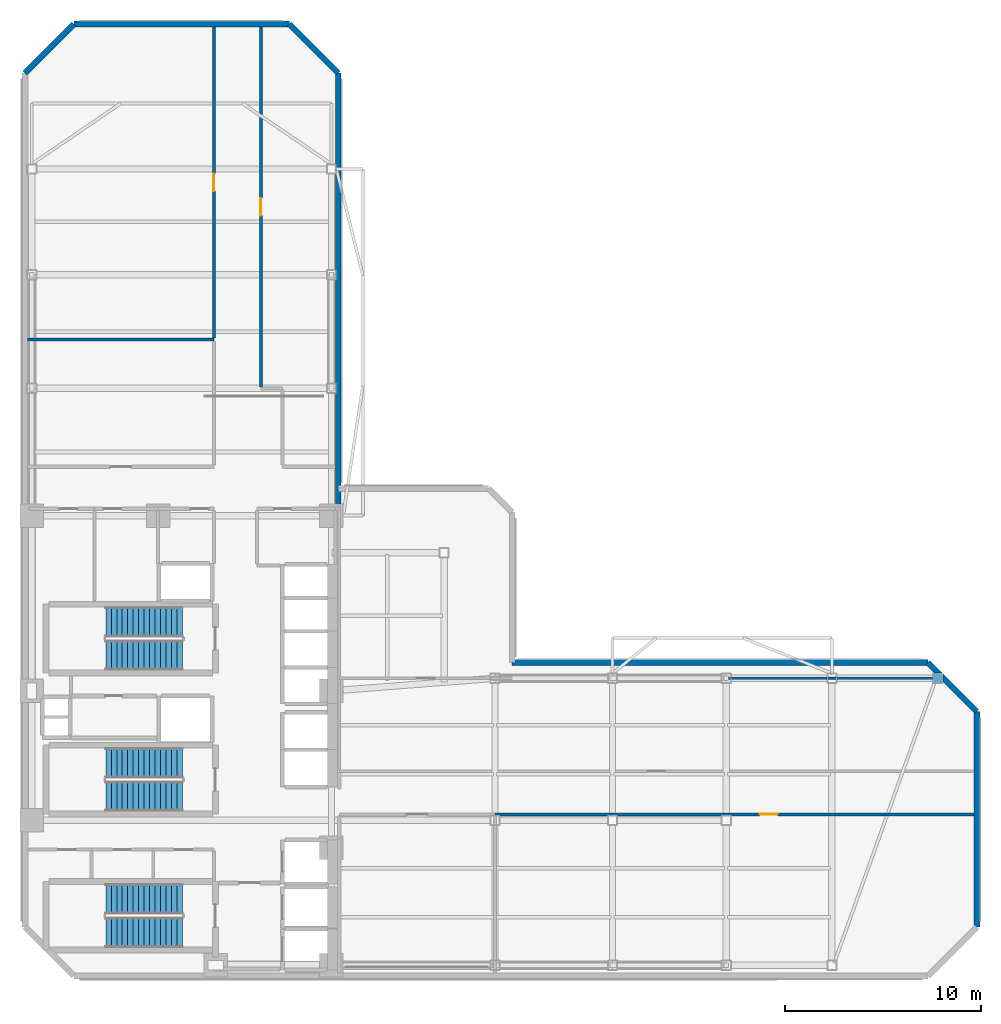
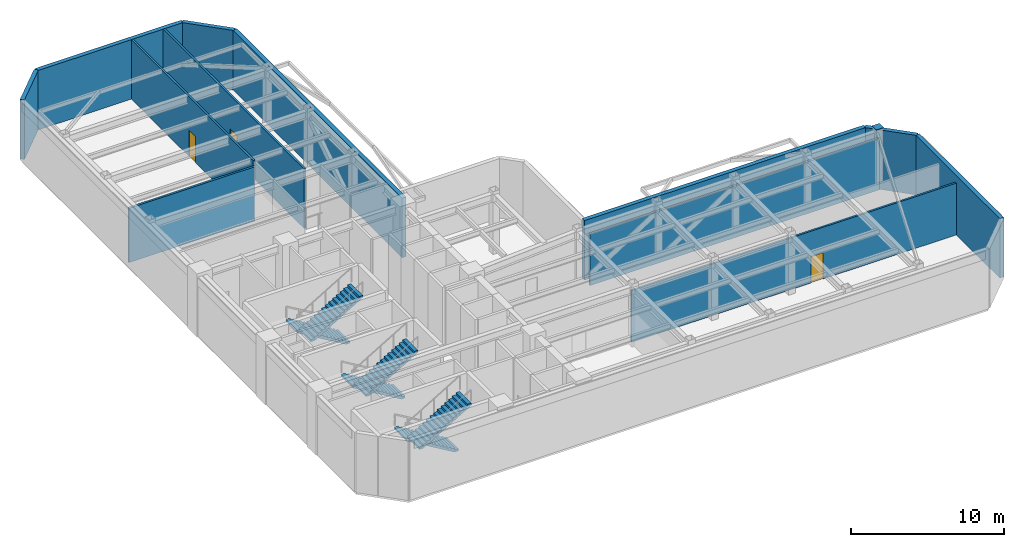
# One storey, part 5 of 9: 12 walls, 6 stair flights, 3 doors, 1 discrete accessory, 3 openings, 3 elements without a shape of their own.
"""IFC4 building model written with IfcOpenShell, lengths in metres."""

from ifc_helpers import new_model, si_unit, direction, frame, frame_2d, origin, origin_2d, place, context, subcontext, project, spatial, polyline, rectangle, outline, extrude, material, layer, layer_set, type_object, element, fill, aggregate, save


model = new_model("IFC4")

# Units and contexts
model_context = context("Model", 3, precision=1e-05, world=origin(), true_north=direction((0.0, 1.0)))
body_context = subcontext(model_context, "Body", "Model", "MODEL_VIEW")
ifc_project = project(units=[si_unit("LENGTHUNIT", "METRE"), si_unit("AREAUNIT", "SQUARE_METRE"), si_unit("VOLUMEUNIT", "CUBIC_METRE"), si_unit("PLANEANGLEUNIT", "RADIAN"), si_unit("MASSUNIT", "GRAM", prefix="KILO")], contexts=[model_context])

# Site, building, storey
site_placement = place(None, origin())
site = spatial("IfcSite", under=ifc_project, at=site_placement, CompositionType="ELEMENT")
building_placement = place(site_placement, origin())
building = spatial("IfcBuilding", under=site, at=building_placement, Name="Mawjaban Terraces University", CompositionType="ELEMENT")
storey_placement = place(building_placement, frame((0.0, 0.0, 165.800048828125)))
storey = spatial("IfcBuildingStorey", under=building, at=storey_placement, Name="L40", CompositionType="ELEMENT", Elevation=165.800048828125)

# Walls
ifc_material_1 = material(Name="Fire-rated gypsum board on steel stud", Category="steel")
ifc_layer_1 = layer(ifc_material_1, 0.159912109375)
ifc_layer_set_1 = layer_set([ifc_layer_1], Name="Fire-rated gypsum board on steel stud")
wall_type_1 = type_object("IfcWallType", Name="CorridorPartition_160", PredefinedType="PARTITIONING", material=ifc_layer_set_1)
wall_1_placement = place(storey_placement, frame((31.64990234375, 32.5, 0.0), z_axis=(0.0, 0.0, 1.0), x_axis=(-1.0, 0.0, 0.0)))
element("IfcWall", 1, at=wall_1_placement, inside=storey, type_object=wall_type_1, Name="L40 Designated Smoke-Protected Refuge Area North Partition 11", PredefinedType="PARTITIONING", context=body_context, shape_type="SweptSolid", body=[
    extrude(rectangle(XDim=9.5048828125, YDim=0.159912109375, at=frame_2d((4.75244140625, 0.0))), origin(), (0.0, 0.0, 1.0), 4.326904296875),
])
ifc_material_2 = material(Name="Insulated terracotta rainscreen on concrete backup C40/50", Category="masonry")
ifc_layer_2 = layer(ifc_material_2, 0.300048828125)
ifc_layer_set_2 = layer_set([ifc_layer_2], Name="Insulated terracotta rainscreen on concrete backup C40/50")
wall_type_2 = type_object("IfcWallType", Name="ExtTerracottaWall_300", PredefinedType="SOLIDWALL", material=ifc_layer_set_2)
wall_2_placement = place(storey_placement, frame((70.60009765625, 2.5, 0.0), z_axis=(0.0, 0.0, 1.0), x_axis=(0.0, 1.0, 0.0)))
element("IfcWall", 2, at=wall_2_placement, inside=storey, type_object=wall_type_2, Name="L40 Exterior Terracotta Wall 3", PredefinedType="SOLIDWALL", context=body_context, shape_type="SweptSolid", body=[
    extrude(rectangle(XDim=11.0, YDim=0.300048828125, at=frame_2d((5.5, 0.0))), origin(), (0.0, 0.0, 1.0), 4.739990234375),
])
wall_3_placement = place(storey_placement, frame((70.60009765625, 13.5, 0.0), z_axis=(0.0, 0.0, 1.0), x_axis=(-0.707106781187, 0.707106781187, 0.0)))
element("IfcWall", 3, at=wall_3_placement, inside=storey, type_object=wall_type_2, Name="L40 Exterior Terracotta Wall 4", PredefinedType="SOLIDWALL", context=body_context, shape_type="SweptSolid", body=[
    extrude(rectangle(XDim=3.53564453125, YDim=0.300048828125, at=frame_2d((1.767822265625, 0.0))), origin(), (0.0, 0.0, 1.0), 4.739990234375),
])
wall_4_placement = place(storey_placement, frame((68.10009765625, 16.0, 0.0), z_axis=(0.0, 0.0, 1.0), x_axis=(-1.0, 0.0, 0.0)))
element("IfcWall", 4, at=wall_4_placement, inside=storey, type_object=wall_type_2, Name="L40 Exterior Terracotta Wall 5", PredefinedType="SOLIDWALL", context=body_context, shape_type="SweptSolid", body=[
    extrude(rectangle(XDim=21.22021484375, YDim=0.300048828125, at=frame_2d((10.610107421875, 0.0))), origin(), (0.0, 0.0, 1.0), 4.739990234375),
])
wall_5_placement = place(storey_placement, frame((38.0, 24.0, 0.0), z_axis=(0.0, 0.0, 1.0), x_axis=(0.0, 1.0, 0.0)))
element("IfcWall", 5, at=wall_5_placement, inside=storey, type_object=wall_type_2, Name="L40 Exterior Terracotta Wall 9", PredefinedType="SOLIDWALL", context=body_context, shape_type="SweptSolid", body=[
    extrude(rectangle(XDim=22.10009765625, YDim=0.300048828125, at=frame_2d((11.050048828125, 0.0))), origin(), (0.0, 0.0, 1.0), 4.739990234375),
])
wall_6_placement = place(storey_placement, frame((38.0, 46.10009765625, 0.0), z_axis=(0.0, 0.0, 1.0), x_axis=(-0.707106781187, 0.707106781187, 0.0)))
element("IfcWall", 6, at=wall_6_placement, inside=storey, type_object=wall_type_2, Name="L40 Exterior Terracotta Wall 10", PredefinedType="SOLIDWALL", context=body_context, shape_type="SweptSolid", body=[
    extrude(rectangle(XDim=3.53564453125, YDim=0.300048828125, at=frame_2d((1.767822265625, 0.0))), origin(), (0.0, 0.0, 1.0), 4.739990234375),
])
wall_7_placement = place(storey_placement, frame((35.5, 48.60009765625, 0.0), z_axis=(0.0, 0.0, 1.0), x_axis=(-1.0, 0.0, 0.0)))
element("IfcWall", 7, at=wall_7_placement, inside=storey, type_object=wall_type_2, Name="L40 Exterior Terracotta Wall 11", PredefinedType="SOLIDWALL", context=body_context, shape_type="SweptSolid", body=[
    extrude(rectangle(XDim=11.0, YDim=0.300048828125, at=frame_2d((5.5, 0.0))), origin(), (0.0, 0.0, 1.0), 4.739990234375),
])
wall_8_placement = place(storey_placement, frame((24.5, 48.60009765625, 0.0), z_axis=(0.0, 0.0, 1.0), x_axis=(-0.707106781187, -0.707106781187, 0.0)))
element("IfcWall", 8, at=wall_8_placement, inside=storey, type_object=wall_type_2, Name="L40 Exterior Terracotta Wall 12", PredefinedType="SOLIDWALL", context=body_context, shape_type="SweptSolid", body=[
    extrude(rectangle(XDim=3.53564453125, YDim=0.300048828125, at=frame_2d((1.767822265625, 0.0))), origin(), (0.0, 0.0, 1.0), 4.739990234375),
])

# Wall, opening, door
ifc_material_3 = material(Name="Moisture-resistant gypsum board on steel stud", Category="steel")
ifc_layer_3 = layer(ifc_material_3, 0.14501953125)
ifc_layer_set_3 = layer_set([ifc_layer_3], Name="Moisture-resistant gypsum board on steel stud")
wall_type_3 = type_object("IfcWallType", Name="LabPartition_145", PredefinedType="PARTITIONING", material=ifc_layer_set_3)
wall_9_placement = place(storey_placement, frame((46.0, 8.25, 0.0), z_axis=(0.0, 0.0, 1.0), x_axis=(1.0, 0.0, 0.0)))
wall_9 = element("IfcWall", 9, at=wall_9_placement, inside=storey, type_object=wall_type_3, Name="L40 Mechanical Plant Service Corridor East Partition 18", PredefinedType="PARTITIONING", context=body_context, shape_type="SweptSolid", body=[
    extrude(rectangle(XDim=24.455078125, YDim=0.14501953125, at=frame_2d((12.2275390625, 0.0))), origin(), (0.0, 0.0, 1.0), 4.1240234375),
])
opening_1_placement = place(wall_9_placement, frame((13.527099609375, 0.0, 0.0)))
opening_1 = element("IfcOpeningElement", 10, at=opening_1_placement, cuts=wall_9, Name="Opening ID-090", PredefinedType="OPENING", context=body_context, shape_type="SweptSolid", body=[
    extrude(rectangle(XDim=0.89990234375, YDim=2.10009765625, at=frame_2d((0.449951171875, 1.050048828125))), frame((0.0, 0.08251953125, 0.0), z_axis=(0.0, -1.0, 0.0), x_axis=(1.0, 0.0, 0.0)), (0.0, 0.0, 1.0), 0.1650390625),
])
ifc_material_4 = material(Name="Powder-coated steel frame and solid acoustic timber leaf", Category="steel")
door_type = type_object("IfcDoorType", Name="OfficeDoor_900x2100", OperationType="NOTDEFINED", PredefinedType="DOOR", material=ifc_material_4)
door_1_placement = place(opening_1_placement, origin())
door_1 = element("IfcDoor", 11, at=door_1_placement, inside=storey, type_object=door_type, Name="L40 Zoned Dedicated Outdoor Air Plant Room Door", OperationType="SINGLE_SWING_LEFT", OverallHeight=2.10009765625, OverallWidth=0.89990234375, PredefinedType="DOOR", context=body_context, shape_type="SweptSolid", body=[
    extrude(rectangle(XDim=0.89990234375, YDim=2.10009765625, at=frame_2d((0.449951171875, 1.050048828125))), frame((0.0, 0.02490234375, 0.0), z_axis=(0.0, -1.0, 0.0), x_axis=(1.0, 0.0, 0.0)), (0.0, 0.0, 1.0), 0.050048828125),
])
fill(opening_1, door_1)

# Wall
wall_10_placement = place(storey_placement, frame((68.695068359375, 15.199951171875, 0.0), z_axis=(0.0, 0.0, 1.0), x_axis=(-1.0, 0.0, 0.0)))
element("IfcWall", 12, at=wall_10_placement, inside=storey, type_object=wall_type_3, Name="L40 Heat Recovery Ventilation Fan Room Partition 20", PredefinedType="PARTITIONING", context=body_context, shape_type="SweptSolid", body=[
    extrude(rectangle(XDim=21.815185546875, YDim=0.14501953125, at=frame_2d((10.90771484375, 0.0))), origin(), (0.0, 0.0, 1.0), 4.1240234375),
])

# Wall, opening, door
wall_11_placement = place(storey_placement, frame((31.64990234375, 48.455078125, 0.0), z_axis=(0.0, 0.0, 1.0), x_axis=(0.0, -1.0, 0.0)))
wall_11 = element("IfcWall", 13, at=wall_11_placement, inside=storey, type_object=wall_type_3, Name="L40 Mechanical Plant Service Corridor North Partition 31", PredefinedType="PARTITIONING", context=body_context, shape_type="SweptSolid", body=[
    extrude(rectangle(XDim=15.880126953125, YDim=0.14501953125, at=frame_2d((7.93994140625, 0.0))), origin(), (0.0, 0.0, 1.0), 4.739990234375),
])
opening_2_placement = place(wall_11_placement, frame((7.489990234375, 0.0, 0.0)))
opening_2 = element("IfcOpeningElement", 14, at=opening_2_placement, cuts=wall_11, Name="Opening ID-090", PredefinedType="OPENING", context=body_context, shape_type="SweptSolid", body=[
    extrude(rectangle(XDim=0.89990234375, YDim=2.10009765625, at=frame_2d((0.449951171875, 1.050048828125))), frame((0.0, 0.08251953125, 0.0), z_axis=(0.0, -1.0, 0.0), x_axis=(1.0, 0.0, 0.0)), (0.0, 0.0, 1.0), 0.1650390625),
])
door_2_placement = place(opening_2_placement, origin())
door_2 = element("IfcDoor", 15, at=door_2_placement, inside=storey, type_object=door_type, Name="L40 Zone Electrical Transformer and Switchgear Room Door", OperationType="SINGLE_SWING_LEFT", OverallHeight=2.10009765625, OverallWidth=0.89990234375, PredefinedType="DOOR", context=body_context, shape_type="SweptSolid", body=[
    extrude(rectangle(XDim=0.89990234375, YDim=2.10009765625, at=frame_2d((0.449951171875, 1.050048828125))), frame((0.0, 0.02490234375, 0.0), z_axis=(0.0, -1.0, 0.0), x_axis=(1.0, 0.0, 0.0)), (0.0, 0.0, 1.0), 0.050048828125),
])
fill(opening_2, door_2)

wall_12_placement = place(storey_placement, frame((34.050048828125, 30.074951171875, 0.0), z_axis=(0.0, 0.0, 1.0), x_axis=(0.0, 1.0, 0.0)))
wall_12 = element("IfcWall", 16, at=wall_12_placement, inside=storey, type_object=wall_type_3, Name="L40 Mechanical Plant Service Corridor North Partition 33", PredefinedType="PARTITIONING", context=body_context, shape_type="SweptSolid", body=[
    extrude(rectangle(XDim=18.380126953125, YDim=0.14501953125, at=frame_2d((9.18994140625, 0.0))), origin(), (0.0, 0.0, 1.0), 4.739990234375),
])
opening_3_placement = place(wall_12_placement, frame((8.739990234375, 0.0, 0.0)))
opening_3 = element("IfcOpeningElement", 17, at=opening_3_placement, cuts=wall_12, Name="Opening ID-090", PredefinedType="OPENING", context=body_context, shape_type="SweptSolid", body=[
    extrude(rectangle(XDim=0.89990234375, YDim=2.10009765625, at=frame_2d((0.449951171875, 1.050048828125))), frame((0.0, 0.08251953125, 0.0), z_axis=(0.0, -1.0, 0.0), x_axis=(1.0, 0.0, 0.0)), (0.0, 0.0, 1.0), 0.1650390625),
])
door_3_placement = place(opening_3_placement, origin())
door_3 = element("IfcDoor", 18, at=door_3_placement, inside=storey, type_object=door_type, Name="L40 Intermediate Chilled Water Heat Exchanger Room Door", OperationType="SINGLE_SWING_RIGHT", OverallHeight=2.10009765625, OverallWidth=0.89990234375, PredefinedType="DOOR", context=body_context, shape_type="SweptSolid", body=[
    extrude(rectangle(XDim=0.89990234375, YDim=2.10009765625, at=frame_2d((0.449951171875, 1.050048828125))), frame((0.0, 0.02490234375, 0.0), z_axis=(0.0, -1.0, 0.0), x_axis=(1.0, 0.0, 0.0)), (0.0, 0.0, 1.0), 0.050048828125),
])
fill(opening_3, door_3)

# Stair, stair flights
ifc_material_5 = material(Name="Concrete C40/50", Category="concrete")
stair_type = type_object("IfcStairType", Name="Stair_Core1550_H50", PredefinedType="HALF_TURN_STAIR", material=ifc_material_5)
stair_1_placement = place(storey_placement, origin())
stair_1 = element("IfcStair", 19, at=stair_1_placement, inside=storey, type_object=stair_type, Name="L40 Core Exit Stair 1", PredefinedType="HALF_TURN_STAIR")
stair_flight_type = type_object("IfcStairFlightType", Name="Flight_Core1550_H50", PredefinedType="STRAIGHT", material=ifc_material_5)
stair_flight_1_placement = place(storey_placement, frame((30.050048828125, 3.925048828125, 0.0), z_axis=(0.0, 0.0, 1.0), x_axis=(-1.0, 0.0, 0.0)))
stair_flight_1 = element("IfcStairFlight", 20, at=stair_flight_1_placement, type_object=stair_flight_type, Name="ST-1 flight 1", NumberOfRisers=15, NumberOfTreads=14, PredefinedType="STRAIGHT", RiserHeight=0.166666667, TreadLength=0.28, context=body_context, shape_type="SweptSolid", body=[
    extrude(outline(polyline([(0.0, 0.0), (0.0, 0.166748046875), (0.280029296875, 0.166748046875), (0.280029296875, 0.333251953125), (0.56005859375, 0.333251953125), (0.56005859375, 0.5), (0.840087890625, 0.5), (0.840087890625, 0.666748046875), (1.1201171875, 0.666748046875), (1.1201171875, 0.833251953125), (1.39990234375, 0.833251953125), (1.39990234375, 1.0), (1.679931640625, 1.0), (1.679931640625, 1.166748046875), (1.9599609375, 1.166748046875), (1.9599609375, 1.333251953125), (2.239990234375, 1.333251953125), (2.239990234375, 1.5), (2.52001953125, 1.5), (2.52001953125, 1.666748046875), (2.800048828125, 1.666748046875), (2.800048828125, 1.833251953125), (3.080078125, 1.833251953125), (3.080078125, 2.0), (3.360107421875, 2.0), (3.360107421875, 2.166748046875), (3.639892578125, 2.166748046875), (3.639892578125, 2.333251953125), (3.919921875, 2.333251953125), (3.919921875, 2.5), (3.919921875, 2.158935546875), (0.29296875, 0.0), (0.0, 0.0)])), frame((0.0, 0.77490234375, 0.0), z_axis=(0.0, -1.0, 0.0), x_axis=(1.0, 0.0, 0.0)), (0.0, 0.0, 1.0), 1.550048828125),
])
stair_flight_2_placement = place(storey_placement, frame((26.1298828125, 2.22509765625, 2.5), z_axis=(0.0, 0.0, 1.0), x_axis=(1.0, 0.0, 0.0)))
stair_flight_2 = element("IfcStairFlight", 21, at=stair_flight_2_placement, type_object=stair_flight_type, Name="ST-1 flight 2", NumberOfRisers=15, NumberOfTreads=14, PredefinedType="STRAIGHT", RiserHeight=0.166666667, TreadLength=0.28, context=body_context, shape_type="SweptSolid", body=[
    extrude(outline(polyline([(0.0, 0.0), (0.0, 0.166748046875), (0.280029296875, 0.166748046875), (0.280029296875, 0.333251953125), (0.56005859375, 0.333251953125), (0.56005859375, 0.5), (0.840087890625, 0.5), (0.840087890625, 0.666748046875), (1.1201171875, 0.666748046875), (1.1201171875, 0.833251953125), (1.39990234375, 0.833251953125), (1.39990234375, 1.0), (1.679931640625, 1.0), (1.679931640625, 1.166748046875), (1.9599609375, 1.166748046875), (1.9599609375, 1.333251953125), (2.239990234375, 1.333251953125), (2.239990234375, 1.5), (2.52001953125, 1.5), (2.52001953125, 1.666748046875), (2.800048828125, 1.666748046875), (2.800048828125, 1.833251953125), (3.080078125, 1.833251953125), (3.080078125, 2.0), (3.360107421875, 2.0), (3.360107421875, 2.166748046875), (3.639892578125, 2.166748046875), (3.639892578125, 2.333251953125), (3.919921875, 2.333251953125), (3.919921875, 2.5), (3.919921875, 2.158935546875), (0.29296875, 0.0), (0.0, 0.0)])), frame((0.0, 0.77490234375, 0.0), z_axis=(0.0, -1.0, 0.0), x_axis=(1.0, 0.0, 0.0)), (0.0, 0.0, 1.0), 1.550048828125),
])
aggregate(stair_1, [stair_flight_1, stair_flight_2])

stair_2_placement = place(storey_placement, origin())
stair_2 = element("IfcStair", 22, at=stair_2_placement, inside=storey, type_object=stair_type, Name="L40 Core Exit Stair 2", PredefinedType="HALF_TURN_STAIR")
stair_flight_3_placement = place(storey_placement, frame((30.050048828125, 18.074951171875, 0.0), z_axis=(0.0, 0.0, 1.0), x_axis=(-1.0, 0.0, 0.0)))
stair_flight_3 = element("IfcStairFlight", 23, at=stair_flight_3_placement, type_object=stair_flight_type, Name="ST-2 flight 1", NumberOfRisers=15, NumberOfTreads=14, PredefinedType="STRAIGHT", RiserHeight=0.166666667, TreadLength=0.28, context=body_context, shape_type="SweptSolid", body=[
    extrude(outline(polyline([(0.0, 0.0), (0.0, 0.166748046875), (0.280029296875, 0.166748046875), (0.280029296875, 0.333251953125), (0.56005859375, 0.333251953125), (0.56005859375, 0.5), (0.840087890625, 0.5), (0.840087890625, 0.666748046875), (1.1201171875, 0.666748046875), (1.1201171875, 0.833251953125), (1.39990234375, 0.833251953125), (1.39990234375, 1.0), (1.679931640625, 1.0), (1.679931640625, 1.166748046875), (1.9599609375, 1.166748046875), (1.9599609375, 1.333251953125), (2.239990234375, 1.333251953125), (2.239990234375, 1.5), (2.52001953125, 1.5), (2.52001953125, 1.666748046875), (2.800048828125, 1.666748046875), (2.800048828125, 1.833251953125), (3.080078125, 1.833251953125), (3.080078125, 2.0), (3.360107421875, 2.0), (3.360107421875, 2.166748046875), (3.639892578125, 2.166748046875), (3.639892578125, 2.333251953125), (3.919921875, 2.333251953125), (3.919921875, 2.5), (3.919921875, 2.158935546875), (0.29296875, 0.0), (0.0, 0.0)])), frame((0.0, 0.77490234375, 0.0), z_axis=(0.0, -1.0, 0.0), x_axis=(1.0, 0.0, 0.0)), (0.0, 0.0, 1.0), 1.550048828125),
])
stair_flight_4_placement = place(storey_placement, frame((26.1298828125, 16.375, 2.5), z_axis=(0.0, 0.0, 1.0), x_axis=(1.0, 0.0, 0.0)))
stair_flight_4 = element("IfcStairFlight", 24, at=stair_flight_4_placement, type_object=stair_flight_type, Name="ST-2 flight 2", NumberOfRisers=15, NumberOfTreads=14, PredefinedType="STRAIGHT", RiserHeight=0.166666667, TreadLength=0.28, context=body_context, shape_type="SweptSolid", body=[
    extrude(outline(polyline([(0.0, 0.0), (0.0, 0.166748046875), (0.280029296875, 0.166748046875), (0.280029296875, 0.333251953125), (0.56005859375, 0.333251953125), (0.56005859375, 0.5), (0.840087890625, 0.5), (0.840087890625, 0.666748046875), (1.1201171875, 0.666748046875), (1.1201171875, 0.833251953125), (1.39990234375, 0.833251953125), (1.39990234375, 1.0), (1.679931640625, 1.0), (1.679931640625, 1.166748046875), (1.9599609375, 1.166748046875), (1.9599609375, 1.333251953125), (2.239990234375, 1.333251953125), (2.239990234375, 1.5), (2.52001953125, 1.5), (2.52001953125, 1.666748046875), (2.800048828125, 1.666748046875), (2.800048828125, 1.833251953125), (3.080078125, 1.833251953125), (3.080078125, 2.0), (3.360107421875, 2.0), (3.360107421875, 2.166748046875), (3.639892578125, 2.166748046875), (3.639892578125, 2.333251953125), (3.919921875, 2.333251953125), (3.919921875, 2.5), (3.919921875, 2.158935546875), (0.29296875, 0.0), (0.0, 0.0)])), frame((0.0, 0.77490234375, 0.0), z_axis=(0.0, -1.0, 0.0), x_axis=(1.0, 0.0, 0.0)), (0.0, 0.0, 1.0), 1.550048828125),
])
aggregate(stair_2, [stair_flight_3, stair_flight_4])

stair_3_placement = place(storey_placement, origin())
stair_3 = element("IfcStair", 25, at=stair_3_placement, inside=storey, type_object=stair_type, Name="L40 Core Exit Stair 3", PredefinedType="HALF_TURN_STAIR")
stair_flight_5_placement = place(storey_placement, frame((30.050048828125, 10.875, 0.0), z_axis=(0.0, 0.0, 1.0), x_axis=(-1.0, 0.0, 0.0)))
stair_flight_5 = element("IfcStairFlight", 26, at=stair_flight_5_placement, type_object=stair_flight_type, Name="ST-3 flight 1", NumberOfRisers=15, NumberOfTreads=14, PredefinedType="STRAIGHT", RiserHeight=0.166666667, TreadLength=0.28, context=body_context, shape_type="SweptSolid", body=[
    extrude(outline(polyline([(0.0, 0.0), (0.0, 0.166748046875), (0.280029296875, 0.166748046875), (0.280029296875, 0.333251953125), (0.56005859375, 0.333251953125), (0.56005859375, 0.5), (0.840087890625, 0.5), (0.840087890625, 0.666748046875), (1.1201171875, 0.666748046875), (1.1201171875, 0.833251953125), (1.39990234375, 0.833251953125), (1.39990234375, 1.0), (1.679931640625, 1.0), (1.679931640625, 1.166748046875), (1.9599609375, 1.166748046875), (1.9599609375, 1.333251953125), (2.239990234375, 1.333251953125), (2.239990234375, 1.5), (2.52001953125, 1.5), (2.52001953125, 1.666748046875), (2.800048828125, 1.666748046875), (2.800048828125, 1.833251953125), (3.080078125, 1.833251953125), (3.080078125, 2.0), (3.360107421875, 2.0), (3.360107421875, 2.166748046875), (3.639892578125, 2.166748046875), (3.639892578125, 2.333251953125), (3.919921875, 2.333251953125), (3.919921875, 2.5), (3.919921875, 2.158935546875), (0.29296875, 0.0), (0.0, 0.0)])), frame((0.0, 0.77490234375, 0.0), z_axis=(0.0, -1.0, 0.0), x_axis=(1.0, 0.0, 0.0)), (0.0, 0.0, 1.0), 1.550048828125),
])
stair_flight_6_placement = place(storey_placement, frame((26.1298828125, 9.175048828125, 2.5), z_axis=(0.0, 0.0, 1.0), x_axis=(1.0, 0.0, 0.0)))
stair_flight_6 = element("IfcStairFlight", 27, at=stair_flight_6_placement, type_object=stair_flight_type, Name="ST-3 flight 2", NumberOfRisers=15, NumberOfTreads=14, PredefinedType="STRAIGHT", RiserHeight=0.166666667, TreadLength=0.28, context=body_context, shape_type="SweptSolid", body=[
    extrude(outline(polyline([(0.0, 0.0), (0.0, 0.166748046875), (0.280029296875, 0.166748046875), (0.280029296875, 0.333251953125), (0.56005859375, 0.333251953125), (0.56005859375, 0.5), (0.840087890625, 0.5), (0.840087890625, 0.666748046875), (1.1201171875, 0.666748046875), (1.1201171875, 0.833251953125), (1.39990234375, 0.833251953125), (1.39990234375, 1.0), (1.679931640625, 1.0), (1.679931640625, 1.166748046875), (1.9599609375, 1.166748046875), (1.9599609375, 1.333251953125), (2.239990234375, 1.333251953125), (2.239990234375, 1.5), (2.52001953125, 1.5), (2.52001953125, 1.666748046875), (2.800048828125, 1.666748046875), (2.800048828125, 1.833251953125), (3.080078125, 1.833251953125), (3.080078125, 2.0), (3.360107421875, 2.0), (3.360107421875, 2.166748046875), (3.639892578125, 2.166748046875), (3.639892578125, 2.333251953125), (3.919921875, 2.333251953125), (3.919921875, 2.5), (3.919921875, 2.158935546875), (0.29296875, 0.0), (0.0, 0.0)])), frame((0.0, 0.77490234375, 0.0), z_axis=(0.0, -1.0, 0.0), x_axis=(1.0, 0.0, 0.0)), (0.0, 0.0, 1.0), 1.550048828125),
])
aggregate(stair_3, [stair_flight_5, stair_flight_6])

# Discrete accessory
ifc_material_6 = material(Name="Steel ASTM A572 Grade 50", Category="steel")
ifc_layer_4 = layer(ifc_material_6, 0.0400390625)
ifc_layer_set_4 = layer_set([ifc_layer_4], Name="Steel ASTM A572 Grade 50")
discrete_accessory_type = type_object("IfcDiscreteAccessoryType", Name="HollowSectionEndCap_40", PredefinedType="BRACKET", material=ifc_layer_set_4)
discrete_accessory_placement = place(storey_placement, frame((68.60009765625, 15.199951171875, 4.97998046875), z_axis=(0.0, 0.0, 1.0), x_axis=(1.0, 0.0, 0.0)))
element("IfcDiscreteAccessory", 28, at=discrete_accessory_placement, inside=storey, type_object=discrete_accessory_type, Name="L40 Hollow Section End Cap Plate CAP-L40-686", PredefinedType="BRACKET", context=body_context, shape_type="SweptSolid", body=[
    extrude(rectangle(XDim=0.550048828125, YDim=0.550048828125, at=origin_2d()), origin(), (0.0, 0.0, 1.0), 0.0400390625),
])

save(model, "model.ifc")
